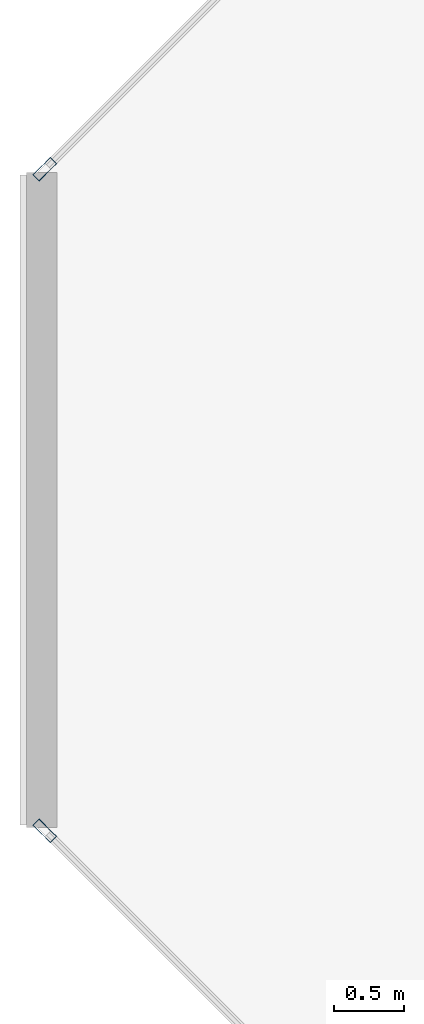
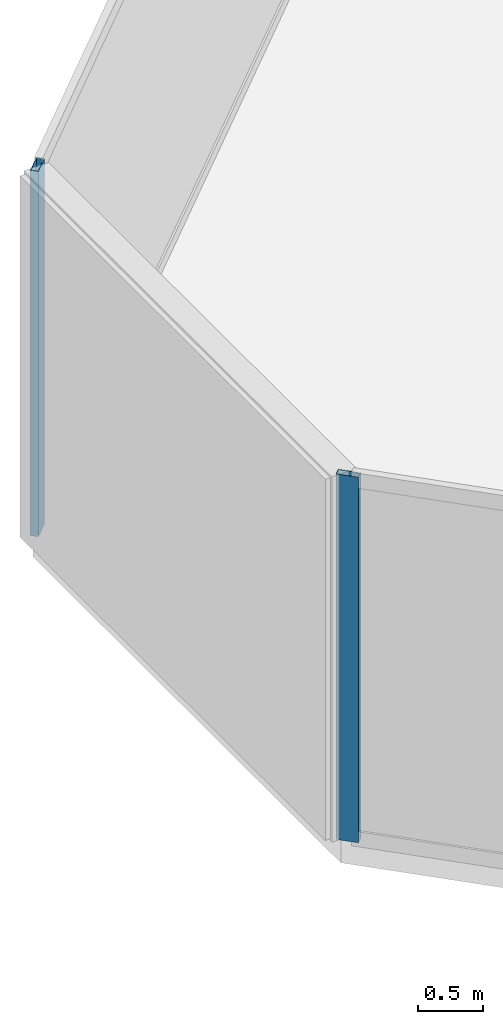
# One storey, part 4 of 17: 2 members, 2 elements without a shape of their own.
"""IFC4 building model written with IfcOpenShell, lengths in metres."""

from ifc_helpers import new_model, si_unit, direction, frame, origin, origin_2d, place, context, subcontext, project, spatial, hollow_rectangle, extrude, material, layer, layer_set, material_profile, profile_set, type_object, element, aggregate, save


model = new_model("IFC4")

# Units and contexts
model_context = context("Model", 3, precision=1e-05, world=origin(), true_north=direction((0.0, 1.0)))
body_context = subcontext(model_context, "Body", "Model", "MODEL_VIEW")
ifc_project = project(units=[si_unit("LENGTHUNIT", "METRE"), si_unit("AREAUNIT", "SQUARE_METRE"), si_unit("VOLUMEUNIT", "CUBIC_METRE"), si_unit("PLANEANGLEUNIT", "RADIAN"), si_unit("MASSUNIT", "GRAM", prefix="KILO")], contexts=[model_context])

# Site, building, storey
site_placement = place(None, origin())
site = spatial("IfcSite", under=ifc_project, at=site_placement, CompositionType="ELEMENT")
building_placement = place(site_placement, origin())
building = spatial("IfcBuilding", under=site, at=building_placement, Name="Tanjung Sevakor Pilgrim Tower", CompositionType="ELEMENT")
storey_placement = place(building_placement, frame((0.0, 0.0, 267.9599609375)))
storey = spatial("IfcBuildingStorey", under=building, at=storey_placement, Name="L75", CompositionType="ELEMENT", Elevation=267.9599609375)

# Curtain wall, member
ifc_material_1 = material(Name="Aluminium 6063-T6 and Low-E Glass", Category="aluminium")
ifc_layer = layer(ifc_material_1, 0.179931640625)
ifc_layer_set = layer_set([ifc_layer], Name="CW-SYS-CHAM")
curtain_wall_type = type_object("IfcCurtainWallType", Name="CW-SYS-CHAM", PredefinedType="NOTDEFINED", material=ifc_layer_set)
curtain_wall_1_placement = place(storey_placement, origin())
curtain_wall_1 = element("IfcCurtainWall", 1, at=curtain_wall_1_placement, inside=storey, type_object=curtain_wall_type, Name="L75 Curtain Wall CW-CHM-L75-EAST-5", PredefinedType="NOTDEFINED")
ifc_material_2 = material(Name="Aluminium 6063-T6", Category="aluminium")
ifc_material_profile = material_profile(ifc_material_2, hollow_rectangle(XDim=0.06494140625, YDim=0.179931640625, WallThickness=0.00390625, at=origin_2d()))
ifc_profile_set = profile_set([ifc_material_profile], Name="Aluminium 6063-T6")
member_type = type_object("IfcMemberType", Name="TYPE-CWM-1", PredefinedType="MULLION", material=ifc_profile_set)
member_1_placement = place(storey_placement, frame((52.23291015625, 35.977294921875, 0.0), z_axis=(0.0, 0.0, 1.0), x_axis=(0.707106781187, -0.707106781187, 0.0)))
member_1 = element("IfcMember", 2, at=member_1_placement, type_object=member_type, Name="CW-CHM mullion 2", PredefinedType="MULLION", context=body_context, shape_type="SweptSolid", body=[
    extrude(hollow_rectangle(XDim=0.06494140625, YDim=0.179931640625, WallThickness=0.00390625, at=origin_2d()), origin(), (0.0, 0.0, 1.0), 3.41015625),
])
aggregate(curtain_wall_1, [member_1])

curtain_wall_2_placement = place(storey_placement, origin())
curtain_wall_2 = element("IfcCurtainWall", 3, at=curtain_wall_2_placement, inside=storey, type_object=curtain_wall_type, Name="L75 Curtain Wall CW-CHM-L75-EAST-7", PredefinedType="NOTDEFINED")
member_2_placement = place(storey_placement, frame((52.23291015625, 31.22265625, 0.0), z_axis=(0.0, 0.0, 1.0), x_axis=(0.707106781187, 0.707106781187, 0.0)))
member_2 = element("IfcMember", 4, at=member_2_placement, type_object=member_type, Name="CW-CHM mullion 1", PredefinedType="MULLION", context=body_context, shape_type="SweptSolid", body=[
    extrude(hollow_rectangle(XDim=0.06494140625, YDim=0.179931640625, WallThickness=0.00390625, at=origin_2d()), origin(), (0.0, 0.0, 1.0), 3.41015625),
])
aggregate(curtain_wall_2, [member_2])

save(model, "model.ifc")
